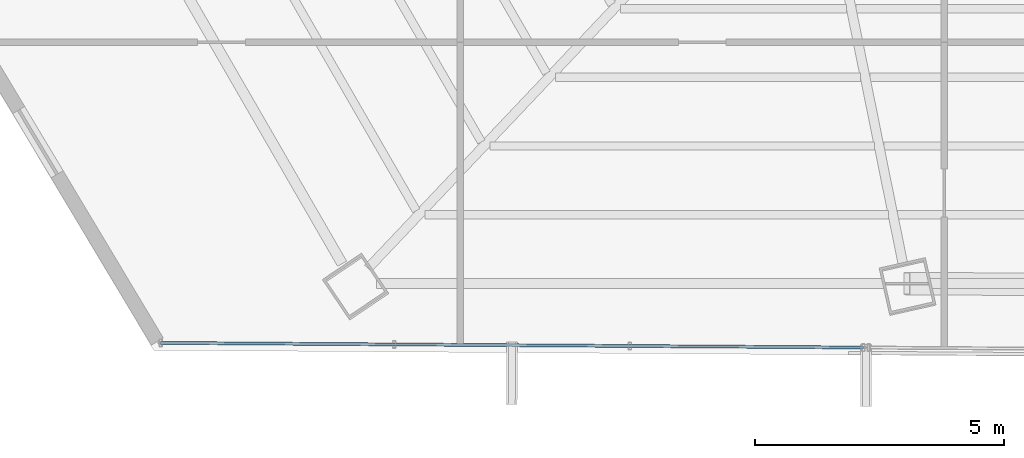
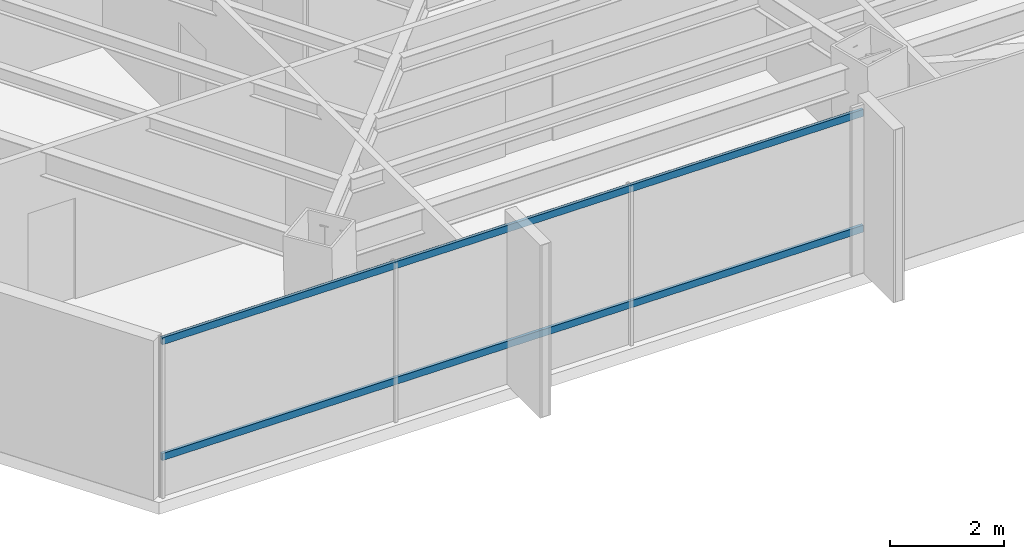
# One storey, part 3 of 41: 2 members, 1 element without a shape of its own.
"""IFC4 building model written with IfcOpenShell, lengths in metres."""

from ifc_helpers import new_model, si_unit, direction, frame, origin, origin_2d, place, context, subcontext, project, spatial, hollow_rectangle, extrude, source, transform, mapped, material, material_profile, profile_set, type_object, type_shapes, element, aggregate, save


model = new_model("IFC4")

# Units and contexts
model_context = context("Model", 3, precision=1e-05, world=origin(), true_north=direction((0.0, 1.0)))
body_context = subcontext(model_context, "Body", "Model", "MODEL_VIEW")
ifc_project = project(units=[si_unit("LENGTHUNIT", "METRE"), si_unit("AREAUNIT", "SQUARE_METRE"), si_unit("VOLUMEUNIT", "CUBIC_METRE"), si_unit("PLANEANGLEUNIT", "RADIAN"), si_unit("MASSUNIT", "GRAM", prefix="KILO")], contexts=[model_context])

# Site, building, storey
site_placement = place(None, origin())
site = spatial("IfcSite", under=ifc_project, at=site_placement, CompositionType="ELEMENT")
building_placement = place(site_placement, origin())
building = spatial("IfcBuilding", under=site, at=building_placement, Name="Caelisora Broadcast Tower", CompositionType="ELEMENT")
storey_placement = place(building_placement, frame((0.0, 0.0, 173.10009765625)))
storey = spatial("IfcBuildingStorey", under=building, at=storey_placement, Name="L45", CompositionType="ELEMENT", Elevation=173.10009765625)

# Curtain wall, members
ifc_material_1 = material(Name="Unitised Aluminium and Low-E Glass Curtain Wall", Category="glass")
curtain_wall_type = type_object("IfcCurtainWallType", Name="CW-Z3", PredefinedType="NOTDEFINED", material=ifc_material_1)
curtain_wall_placement = place(storey_placement, origin())
curtain_wall = element("IfcCurtainWall", 1, at=curtain_wall_placement, inside=storey, type_object=curtain_wall_type, Name="L45 curtain wall CW-Z3", PredefinedType="NOTDEFINED")
ifc_material_2 = material(Name="Aluminium 6063-T6 Anodised Terracotta Bronze", Category="aluminium")
ifc_material_profile = material_profile(ifc_material_2, hollow_rectangle(XDim=0.06005859375, YDim=0.14990234375, WallThickness=0.00341796875, at=origin_2d()), Name="Aluminium 6063-T6 Anodised Terracotta Bronze")
ifc_profile_set = profile_set([ifc_material_profile], Name="Aluminium 6063-T6 Anodised Terracotta Bronze")
member_type = type_object("IfcMemberType", Name="CWT-02", PredefinedType="USERDEFINED", material=ifc_profile_set)
shared_shape = source(origin(), body_context, "Body", "SweptSolid", [
    extrude(hollow_rectangle(XDim=0.06005859375, YDim=0.14990234375, WallThickness=0.00341796875, at=origin_2d()), origin(), (0.0, 0.0, 1.0), 14.091552734375),
])
type_shapes(member_type, [shared_shape])
member_1_placement = place(storey_placement, frame((31.581298828125, 6.471435546875, 0.849853515625), z_axis=(-0.999978099203, 0.006618240998, 0.0), x_axis=(-0.006618240998, -0.999978099203, 0.0)))
member_1 = element("IfcMember", 2, at=member_1_placement, type_object=member_type, Name="L45-CW-B07 transom #1", ObjectType="TRANSOM", PredefinedType="USERDEFINED", context=body_context, shape_type="MappedRepresentation", body=[
    mapped(shared_shape, transform((0.0, 0.0, 0.0), scale=1.0)),
])
member_2_placement = place(storey_placement, frame((31.581298828125, 6.471435546875, 3.31982421875), z_axis=(-0.999978099203, 0.006618240998, 0.0), x_axis=(-0.006618240998, -0.999978099203, 0.0)))
member_2 = element("IfcMember", 3, at=member_2_placement, type_object=member_type, Name="L45-CW-B07 transom #2", ObjectType="TRANSOM", PredefinedType="USERDEFINED", context=body_context, shape_type="MappedRepresentation", body=[
    mapped(shared_shape, transform((0.0, 0.0, 0.0), scale=1.0)),
])
aggregate(curtain_wall, [member_1, member_2])

save(model, "model.ifc")
